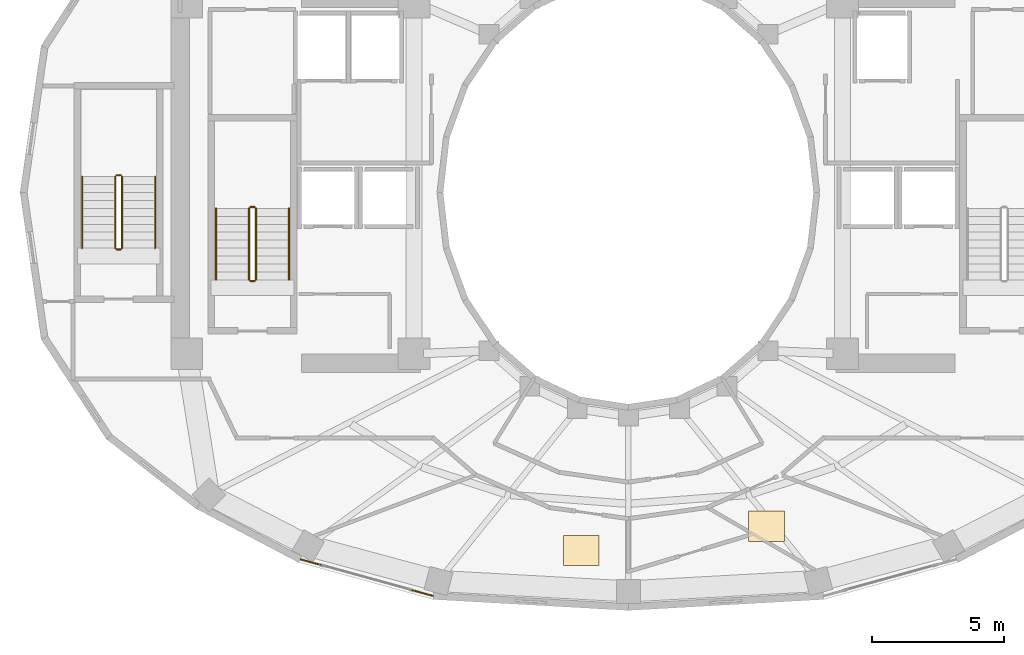
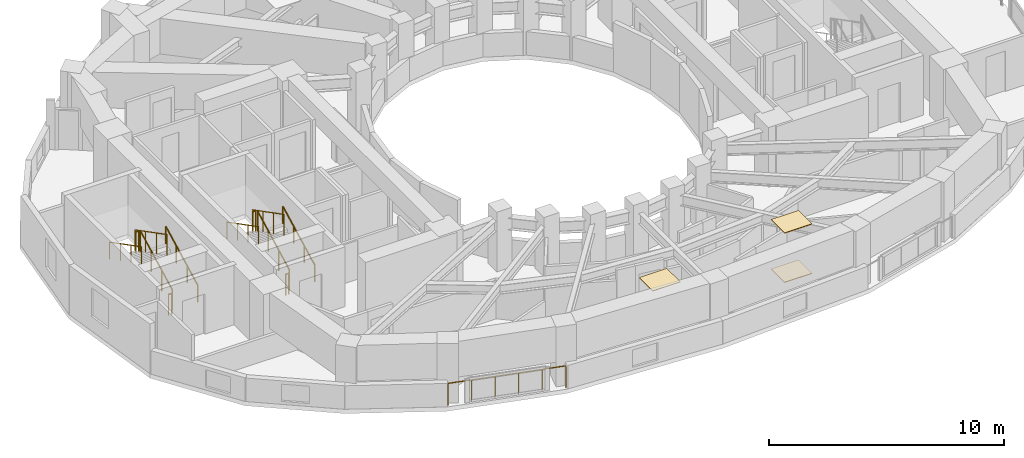
# One storey, part 18 of 20: 13 railings, 3 coverings.
"""IFC4 building model written with IfcOpenShell, lengths in metres."""

import ifcopenshell
import ifcopenshell.guid

model = None  # the IFC model being written
_history = None  # IfcOwnerHistory: only IFC2X3 demands one
_inside = {}  # id of a spatial element -> (the spatial element, [elements in it])
_under = {}  # id of a project, library or spatial element -> (it, [spatial elements below it])
_declared = {}  # id of a project -> (the project, [libraries it declares])
_typed = {}  # id of a type object -> (the type object, [elements of that type])
_made_of = {}  # id of a material, layer set ... -> (it, [elements and type objects made of it])


def new_model(schema):
    """Start an empty IFC model of exactly this schema.

    Asked for "IFC4X3", IfcOpenShell would pick the latest addendum, in which some entities
    have other attributes; the version numbers below select the first issue.
    IFC2X3 requires an IfcOwnerHistory on every rooted entity: one is made here for all.
    """
    global model, _history
    if schema == "IFC4X3":
        model = ifcopenshell.file(schema_version=(4, 3, 0, 0))
    else:
        model = ifcopenshell.file(schema=schema)
    _inside.clear()
    _under.clear()
    _declared.clear()
    _typed.clear()
    _made_of.clear()
    _history = None
    if model.schema == "IFC2X3":
        org = make("IfcOrganization", Name="unknown")
        user = make(
            "IfcPersonAndOrganization",
            ThePerson=make("IfcPerson", FamilyName="unknown"),
            TheOrganization=org,
        )
        app = make(
            "IfcApplication",
            ApplicationDeveloper=org,
            Version="unknown",
            ApplicationFullName="unknown",
            ApplicationIdentifier="unknown",
        )
        _history = make(
            "IfcOwnerHistory",
            OwningUser=user,
            OwningApplication=app,
            ChangeAction="ADDED",
            CreationDate=0,
        )
    return model


def make(cls, **values):
    """One entity of the class cls with the attributes given. An attribute that is None is left unset."""
    return model.create_entity(
        cls, **{name: value for name, value in values.items() if value is not None}
    )


def rooted(cls, **values):
    """An entity with a GlobalId (a new one), such as an element, a storey or a relation."""
    return make(cls, GlobalId=ifcopenshell.guid.new(), OwnerHistory=_history, **values)


def si_unit(unit_type, name, prefix=None):
    """IfcSIUnit, for example si_unit("LENGTHUNIT", "METRE", prefix="MILLI")."""
    return make("IfcSIUnit", UnitType=unit_type, Prefix=prefix, Name=name)


def assignment(units):
    """IfcUnitAssignment: the units of a project."""
    return None if units is None else make("IfcUnitAssignment", Units=units)


def point(xyz):
    """IfcCartesianPoint."""
    return None if xyz is None else make("IfcCartesianPoint", Coordinates=xyz)


def direction(xyz):
    """IfcDirection."""
    return None if xyz is None else make("IfcDirection", DirectionRatios=xyz)


def frame(location, z_axis=None, x_axis=None):
    """IfcAxis2Placement3D, a coordinate frame: its origin and axes. An axis left out is left unset."""
    return make(
        "IfcAxis2Placement3D",
        Location=point(location),
        Axis=direction(z_axis),
        RefDirection=direction(x_axis),
    )


def frame_2d(location, x_axis=None):
    """IfcAxis2Placement2D, a coordinate frame in the plane: its origin and x axis."""
    return make(
        "IfcAxis2Placement2D", Location=point(location), RefDirection=direction(x_axis)
    )


def origin():
    """The frame at (0, 0, 0) with its axes left unset."""
    return frame((0.0, 0.0, 0.0))


def origin_2d():
    """The frame at (0, 0) in the plane with its x axis left unset."""
    return frame_2d((0.0, 0.0))


def place(relative_to, where):
    """IfcLocalPlacement: puts the frame where relative to a parent placement (None: the world)."""
    return make(
        "IfcLocalPlacement", PlacementRelTo=relative_to, RelativePlacement=where
    )


def context(
    kind, dimensions, precision=None, world=None, true_north=None, identifier=None
):
    """IfcGeometricRepresentationContext, for example the 3D "Model" context."""
    return make(
        "IfcGeometricRepresentationContext",
        ContextIdentifier=identifier,
        ContextType=kind,
        CoordinateSpaceDimension=dimensions,
        Precision=precision,
        WorldCoordinateSystem=world,
        TrueNorth=true_north,
    )


def subcontext(parent, identifier, kind, view, scale=None):
    """IfcGeometricRepresentationSubContext, for example "Body" below "Model"."""
    return make(
        "IfcGeometricRepresentationSubContext",
        ContextIdentifier=identifier,
        ContextType=kind,
        ParentContext=parent,
        TargetScale=scale,
        TargetView=view,
    )


def project(units=None, contexts=None):
    """IfcProject with its units and contexts."""
    return rooted(
        "IfcProject",
        Name="project",
        RepresentationContexts=contexts,
        UnitsInContext=assignment(units),
    )


def spatial(cls, under=None, at=None, **own):
    """A site, building, storey or space (cls), placed at a placement, below another one or the project."""
    s = rooted(cls, ObjectPlacement=at, **own)
    if under is not None:
        _under.setdefault(under.id(), (under, []))[1].append(s)
    return s


def polyline(points):
    """IfcPolyline through the points."""
    return make("IfcPolyline", Points=[point(p) for p in points])


def profile(cls, at=None, kind="AREA", **sizes):
    """A parametric profile (cls). Its sizes go by their IFC names, for example OverallWidth=200.0."""
    return make(cls, ProfileType=kind, Position=at, **sizes)


def circle(**sizes):
    """IfcCircleProfileDef."""
    return profile("IfcCircleProfileDef", **sizes)


def outline(outer, holes=None, kind="AREA"):
    """IfcArbitraryClosedProfileDef: a profile drawn as a closed curve; with holes, ...WithVoids."""
    if holes is None:
        return make("IfcArbitraryClosedProfileDef", ProfileType=kind, OuterCurve=outer)
    return make(
        "IfcArbitraryProfileDefWithVoids",
        ProfileType=kind,
        OuterCurve=outer,
        InnerCurves=holes,
    )


def extrude(swept, where, along, depth):
    """IfcExtrudedAreaSolid: the profile swept, set in the frame where, extruded along a direction by depth."""
    return make(
        "IfcExtrudedAreaSolid",
        SweptArea=swept,
        Position=where,
        ExtrudedDirection=direction(along),
        Depth=depth,
    )


def shape(context_of_items, identifier, shape_type, items):
    """IfcShapeRepresentation: the items that make up one representation, for example the "Body"."""
    return make(
        "IfcShapeRepresentation",
        ContextOfItems=context_of_items,
        RepresentationIdentifier=identifier,
        RepresentationType=shape_type,
        Items=items,
    )


def material(Name=None, Category=None):
    """IfcMaterial."""
    return make("IfcMaterial", Name=Name, Category=Category)


def layer(
    of_material, thickness, ventilated=None, Name=None, Category=None, Priority=None
):
    """IfcMaterialLayer: one layer of a wall or slab, of a material (None: an air gap)."""
    return make(
        "IfcMaterialLayer",
        Material=of_material,
        LayerThickness=thickness,
        IsVentilated=ventilated,
        Name=Name,
        Category=Category,
        Priority=Priority,
    )


def layer_set(layers, Name=None):
    """IfcMaterialLayerSet."""
    return make("IfcMaterialLayerSet", MaterialLayers=layers, LayerSetName=Name)


def made_of(thing, what):
    """Note that an element or type object is made of a material, layer set ...; save() writes the relation."""
    if what is not None:
        _made_of.setdefault(what.id(), (what, []))[1].append(thing)
    return thing


def type_object(cls, material=None, **own):
    """A type object (cls), such as IfcWallType, which elements share."""
    return made_of(rooted(cls, **own), material)


def element(
    cls,
    number,
    at=None,
    inside=None,
    cuts=None,
    type_object=None,
    material=None,
    context=None,
    identifier="Body",
    shape_type=None,
    held_by="IfcProductDefinitionShape",
    body=None,
    shapes=None,
    **own,
):
    """One element of the class cls, such as IfcWall. Its Tag is "e" and its number.

    at: its placement. inside: the storey or other place that contains it. cuts: it is an
    opening in that element (IfcRelVoidsElement). A single representation is given by context,
    identifier, shape_type and body (its items); several are given by shapes. held_by: the class
    of the entity that holds the representations. save() writes the other relations.
    """
    e = rooted(cls, Tag="e%d" % number, ObjectPlacement=at, **own)
    if body is not None:
        shapes = [shape(context, identifier, shape_type, body)]
    if shapes is not None:
        e.Representation = make(held_by, Representations=shapes)
    if inside is not None:
        _inside.setdefault(inside.id(), (inside, []))[1].append(e)
    if cuts is not None:
        rooted(
            "IfcRelVoidsElement", RelatingBuildingElement=cuts, RelatedOpeningElement=e
        )
    if type_object is not None:
        _typed.setdefault(type_object.id(), (type_object, []))[1].append(e)
    return made_of(e, material)


def aggregate(whole, parts):
    """IfcRelAggregates: a whole, such as a stair, and the parts it consists of."""
    return rooted("IfcRelAggregates", RelatingObject=whole, RelatedObjects=parts)


def save(model, path):
    """Write the relations noted so far, then the file.

    IfcRelAggregates (storeys below a building ...), IfcRelContainedInSpatialStructure (elements
    in a storey), IfcRelDefinesByType, IfcRelAssociatesMaterial and IfcRelDeclares: one each for
    every whole, place, type object, material and project.
    """
    for whole, parts in _under.values():
        aggregate(whole, parts)
    for where, things in _inside.values():
        rooted(
            "IfcRelContainedInSpatialStructure",
            RelatedElements=things,
            RelatingStructure=where,
        )
    for kind, things in _typed.values():
        rooted("IfcRelDefinesByType", RelatedObjects=things, RelatingType=kind)
    for what, things in _made_of.values():
        rooted("IfcRelAssociatesMaterial", RelatedObjects=things, RelatingMaterial=what)
    for by, libraries in _declared.values():
        rooted("IfcRelDeclares", RelatingContext=by, RelatedDefinitions=libraries)
    model.write(path)


model = new_model("IFC4")

# Units and contexts
model_context = context("Model", 3, precision=1e-05, world=origin(), true_north=direction((0.0, 1.0)))
body_context = subcontext(model_context, "Body", "Model", "MODEL_VIEW")
ifc_project = project(units=[si_unit("LENGTHUNIT", "METRE"), si_unit("AREAUNIT", "SQUARE_METRE"), si_unit("VOLUMEUNIT", "CUBIC_METRE"), si_unit("PLANEANGLEUNIT", "RADIAN"), si_unit("MASSUNIT", "GRAM", prefix="KILO")], contexts=[model_context])

# Site, building, storey
site_placement = place(None, origin())
site = spatial("IfcSite", under=ifc_project, at=site_placement, CompositionType="ELEMENT")
building_placement = place(site_placement, origin())
building = spatial("IfcBuilding", under=site, at=building_placement, Name="Solvane Sanctuary Tower", CompositionType="ELEMENT")
storey_placement = place(building_placement, frame((0.0, 0.0, 159.10009765625)))
storey = spatial("IfcBuildingStorey", under=building, at=storey_placement, Name="L48", CompositionType="ELEMENT", Elevation=159.10009765625)

# Coverings
ifc_material_1 = material(Name="Acoustic Gypsum Partition Board")
ifc_layer_1 = layer(ifc_material_1, 0.02490234375, Name="Acoustic Gypsum Partition Board")
ifc_layer_set_1 = layer_set([ifc_layer_1], Name="Acoustic Gypsum Partition Board")
covering_type_1 = type_object("IfcCoveringType", Name="Covering CLG-ACOUST", PredefinedType="CEILING", material=ifc_layer_set_1)
covering_1_placement = place(storey_placement, frame((0.0, 0.0, 2.56982421875)))
element("IfcCovering", 1, at=covering_1_placement, inside=storey, type_object=covering_type_1, Name="L48 Unit Acoustic Ceiling Panel 4", PredefinedType="CEILING", context=body_context, shape_type="SweptSolid", body=[
    extrude(outline(polyline([(29.54296875, 8.89208984375), (30.89306640625, 8.89208984375), (30.89306640625, 10.0419921875), (29.54296875, 10.0419921875), (29.54296875, 8.89208984375)])), origin(), (0.0, 0.0, 1.0), 0.030029296875),
])
covering_2_placement = place(storey_placement, frame((0.0, 0.0, 2.56982421875)))
element("IfcCovering", 2, at=covering_2_placement, inside=storey, type_object=covering_type_1, Name="L48 Unit Acoustic Ceiling Panel 5", PredefinedType="CEILING", context=body_context, shape_type="SweptSolid", body=[
    extrude(outline(polyline([(36.549072265625, 9.81396484375), (37.89892578125, 9.81396484375), (37.89892578125, 10.964111328125), (36.549072265625, 10.964111328125), (36.549072265625, 9.81396484375)])), origin(), (0.0, 0.0, 1.0), 0.030029296875),
])
ifc_material_2 = material(Name="Ceramic Tile Finish")
ifc_layer_2 = layer(ifc_material_2, 0.030029296875, Name="Ceramic Tile Finish")
ifc_layer_set_2 = layer_set([ifc_layer_2], Name="Ceramic Tile Finish")
covering_type_2 = type_object("IfcCoveringType", Name="Covering FLR-TERRAZZO", PredefinedType="FLOORING", material=ifc_layer_set_2)
covering_3_placement = place(storey_placement, origin())
element("IfcCovering", 3, at=covering_3_placement, inside=storey, type_object=covering_type_2, Name="L48 Unit Terrazzo Inlay 5", PredefinedType="FLOORING", context=body_context, shape_type="SweptSolid", body=[
    extrude(outline(polyline([(36.549072265625, 9.81396484375), (37.89892578125, 9.81396484375), (37.89892578125, 10.964111328125), (36.549072265625, 10.964111328125), (36.549072265625, 9.81396484375)])), origin(), (0.0, 0.0, 1.0), 0.034912109375),
])

# Railings
ifc_material_3 = material(Name="Architectural Stainless Steel 316", Category="steel")
railing_type_1 = type_object("IfcRailingType", Name="Railing GR-BALC-1150", PredefinedType="BALUSTRADE", material=ifc_material_3)
railing_1_placement = place(storey_placement, frame((19.61572265625, 9.128662109375, 0.0)))
element("IfcRailing", 4, at=railing_1_placement, inside=storey, type_object=railing_type_1, Name="L48 Curtain-Wall Perimeter Sill Guard 16", PredefinedType="BALUSTRADE", context=body_context, shape_type="SweptSolid", body=[
    extrude(circle(Radius=0.02392578125, at=origin_2d()), frame((0.0, 0.0, 1.1259765625), z_axis=(0.963963847171, -0.26603327113, 0.0), x_axis=(0.26603327113, 0.963963847171, 0.0)), (0.0, 0.0, 1.0), 5.1767578125),
    extrude(circle(Radius=0.02099609375, at=origin_2d()), origin(), (0.0, 0.0, 1.0), 1.101806640625),
    extrude(circle(Radius=0.02099609375, at=origin_2d()), frame((0.998046875, -0.275390625, 0.0)), (0.0, 0.0, 1.0), 1.101806640625),
    extrude(circle(Radius=0.02099609375, at=origin_2d()), frame((1.99609375, -0.55078125, 0.0)), (0.0, 0.0, 1.0), 1.101806640625),
    extrude(circle(Radius=0.02099609375, at=origin_2d()), frame((2.994140625, -0.826416015625, 0.0)), (0.0, 0.0, 1.0), 1.101806640625),
    extrude(circle(Radius=0.02099609375, at=origin_2d()), frame((3.9921875, -1.101806640625, 0.0)), (0.0, 0.0, 1.0), 1.101806640625),
    extrude(circle(Radius=0.02099609375, at=origin_2d()), frame((4.990234375, -1.377197265625, 0.0)), (0.0, 0.0, 1.0), 1.101806640625),
])
railing_2_placement = place(storey_placement, frame((17.919921875, 19.699951171875, 0.15478515625)))
element("IfcRailing", 5, at=railing_2_placement, inside=storey, type_object=railing_type_1, Name="L48 ST-1 stair guard 1", PredefinedType="BALUSTRADE", context=body_context, shape_type="SweptSolid", body=[
    extrude(circle(Radius=0.02392578125, at=origin_2d()), frame((0.0, 0.0, 1.076171875), z_axis=(0.0, 0.888419900624, 0.459031676658), x_axis=(-1.0, 0.0, 0.0)), (0.0, 0.0, 1.0), 3.0390625),
    extrude(circle(Radius=0.02099609375, at=origin_2d()), origin(), (0.0, 0.0, 1.0), 1.052001953125),
    extrude(circle(Radius=0.02099609375, at=origin_2d()), frame((0.0, 0.89990234375, 0.465087890625)), (0.0, 0.0, 1.0), 1.052001953125),
    extrude(circle(Radius=0.02099609375, at=origin_2d()), frame((0.0, 1.800048828125, 0.929931640625)), (0.0, 0.0, 1.0), 1.052001953125),
    extrude(circle(Radius=0.02099609375, at=origin_2d()), frame((0.0, 2.699951171875, 1.39501953125)), (0.0, 0.0, 1.0), 1.052001953125),
])
railing_3_placement = place(storey_placement, frame((17.8701171875, 22.449951171875, 1.5498046875)))
element("IfcRailing", 6, at=railing_3_placement, inside=storey, type_object=railing_type_1, Name="L48 ST-1 stair guard 2", PredefinedType="BALUSTRADE", context=body_context, shape_type="SweptSolid", body=[
    extrude(circle(Radius=0.02392578125, at=origin_2d()), frame((0.0, 0.0, 1.076171875), z_axis=(-1.0, 0.0, 0.0), x_axis=(0.0, -1.0, 0.0)), (0.0, 0.0, 1.0), 0.16015625),
    extrude(circle(Radius=0.02099609375, at=origin_2d()), origin(), (0.0, 0.0, 1.0), 1.052001953125),
    extrude(circle(Radius=0.02099609375, at=origin_2d()), frame((-0.16015625, 0.0, 0.0)), (0.0, 0.0, 1.0), 1.052001953125),
])
railing_4_placement = place(storey_placement, frame((17.659912109375, 22.39990234375, 1.704833984375)))
element("IfcRailing", 7, at=railing_4_placement, inside=storey, type_object=railing_type_1, Name="L48 ST-1 stair guard 3", PredefinedType="BALUSTRADE", context=body_context, shape_type="SweptSolid", body=[
    extrude(circle(Radius=0.02392578125, at=origin_2d()), frame((0.0, 0.0, 1.076171875), z_axis=(0.0, -0.888419900624, 0.459031676658), x_axis=(1.0, 0.0, 0.0)), (0.0, 0.0, 1.0), 3.0390625),
    extrude(circle(Radius=0.02099609375, at=origin_2d()), origin(), (0.0, 0.0, 1.0), 1.052001953125),
    extrude(circle(Radius=0.02099609375, at=origin_2d()), frame((0.0, -0.89990234375, 0.465087890625)), (0.0, 0.0, 1.0), 1.052001953125),
    extrude(circle(Radius=0.02099609375, at=origin_2d()), frame((0.0, -1.800048828125, 0.929931640625)), (0.0, 0.0, 1.0), 1.052001953125),
    extrude(circle(Radius=0.02099609375, at=origin_2d()), frame((0.0, -2.699951171875, 1.39501953125)), (0.0, 0.0, 1.0), 1.052001953125),
])
railing_5_placement = place(storey_placement, frame((17.8701171875, 19.64990234375, 0.0)))
element("IfcRailing", 8, at=railing_5_placement, inside=storey, type_object=railing_type_1, Name="L48 ST-1 stair guard 4", PredefinedType="BALUSTRADE", context=body_context, shape_type="SweptSolid", body=[
    extrude(circle(Radius=0.02392578125, at=origin_2d()), frame((0.0, 0.0, 1.076171875), z_axis=(-1.0, 0.0, 0.0), x_axis=(0.0, -1.0, 0.0)), (0.0, 0.0, 1.0), 0.16015625),
    extrude(circle(Radius=0.02099609375, at=origin_2d()), origin(), (0.0, 0.0, 1.0), 1.052001953125),
    extrude(circle(Radius=0.02099609375, at=origin_2d()), frame((-0.16015625, 0.0, 0.0)), (0.0, 0.0, 1.0), 1.052001953125),
])
railing_6_placement = place(storey_placement, frame((12.860107421875, 20.89990234375, 0.15478515625)))
element("IfcRailing", 9, at=railing_6_placement, inside=storey, type_object=railing_type_1, Name="L48 ST-3 stair guard 1", PredefinedType="BALUSTRADE", context=body_context, shape_type="SweptSolid", body=[
    extrude(circle(Radius=0.02392578125, at=origin_2d()), frame((0.0, 0.0, 1.076171875), z_axis=(0.0, 0.888436826113, 0.458998917216), x_axis=(-1.0, 0.0, 0.0)), (0.0, 0.0, 1.0), 3.039306640625),
    extrude(circle(Radius=0.02099609375, at=origin_2d()), origin(), (0.0, 0.0, 1.0), 1.052001953125),
    extrude(circle(Radius=0.02099609375, at=origin_2d()), frame((0.0, 0.900146484375, 0.465087890625)), (0.0, 0.0, 1.0), 1.052001953125),
    extrude(circle(Radius=0.02099609375, at=origin_2d()), frame((0.0, 1.800048828125, 0.929931640625)), (0.0, 0.0, 1.0), 1.052001953125),
    extrude(circle(Radius=0.02099609375, at=origin_2d()), frame((0.0, 2.7001953125, 1.39501953125)), (0.0, 0.0, 1.0), 1.052001953125),
])
railing_7_placement = place(storey_placement, frame((12.81005859375, 23.64990234375, 1.5498046875)))
element("IfcRailing", 10, at=railing_7_placement, inside=storey, type_object=railing_type_1, Name="L48 ST-3 stair guard 2", PredefinedType="BALUSTRADE", context=body_context, shape_type="SweptSolid", body=[
    extrude(circle(Radius=0.02392578125, at=origin_2d()), frame((0.0, 0.0, 1.076171875), z_axis=(-1.0, 0.0, 0.0), x_axis=(0.0, -1.0, 0.0)), (0.0, 0.0, 1.0), 0.16015625),
    extrude(circle(Radius=0.02099609375, at=origin_2d()), origin(), (0.0, 0.0, 1.0), 1.052001953125),
    extrude(circle(Radius=0.02099609375, at=origin_2d()), frame((-0.16015625, 0.0, 0.0)), (0.0, 0.0, 1.0), 1.052001953125),
])
railing_8_placement = place(storey_placement, frame((12.60009765625, 23.60009765625, 1.704833984375)))
element("IfcRailing", 11, at=railing_8_placement, inside=storey, type_object=railing_type_1, Name="L48 ST-3 stair guard 3", PredefinedType="BALUSTRADE", context=body_context, shape_type="SweptSolid", body=[
    extrude(circle(Radius=0.02392578125, at=origin_2d()), frame((0.0, 0.0, 1.076171875), z_axis=(0.0, -0.888436826113, 0.458998917216), x_axis=(1.0, 0.0, 0.0)), (0.0, 0.0, 1.0), 3.039306640625),
    extrude(circle(Radius=0.02099609375, at=origin_2d()), origin(), (0.0, 0.0, 1.0), 1.052001953125),
    extrude(circle(Radius=0.02099609375, at=origin_2d()), frame((0.0, -0.900146484375, 0.465087890625)), (0.0, 0.0, 1.0), 1.052001953125),
    extrude(circle(Radius=0.02099609375, at=origin_2d()), frame((0.0, -1.800048828125, 0.929931640625)), (0.0, 0.0, 1.0), 1.052001953125),
    extrude(circle(Radius=0.02099609375, at=origin_2d()), frame((0.0, -2.7001953125, 1.39501953125)), (0.0, 0.0, 1.0), 1.052001953125),
])
railing_9_placement = place(storey_placement, frame((12.81005859375, 20.85009765625, 0.0)))
element("IfcRailing", 12, at=railing_9_placement, inside=storey, type_object=railing_type_1, Name="L48 ST-3 stair guard 4", PredefinedType="BALUSTRADE", context=body_context, shape_type="SweptSolid", body=[
    extrude(circle(Radius=0.02392578125, at=origin_2d()), frame((0.0, 0.0, 1.076171875), z_axis=(-1.0, 0.0, 0.0), x_axis=(0.0, -1.0, 0.0)), (0.0, 0.0, 1.0), 0.16015625),
    extrude(circle(Radius=0.02099609375, at=origin_2d()), origin(), (0.0, 0.0, 1.0), 1.052001953125),
    extrude(circle(Radius=0.02099609375, at=origin_2d()), frame((-0.16015625, 0.0, 0.0)), (0.0, 0.0, 1.0), 1.052001953125),
])
railing_type_2 = type_object("IfcRailingType", Name="Railing HR-STAIR-920", PredefinedType="HANDRAIL", material=ifc_material_3)
railing_10_placement = place(storey_placement, frame((19.169921875, 19.699951171875, 0.15478515625)))
element("IfcRailing", 13, at=railing_10_placement, inside=storey, type_object=railing_type_2, Name="L48 ST-1 stair handrail 1", PredefinedType="HANDRAIL", context=body_context, shape_type="SweptSolid", body=[
    extrude(circle(Radius=0.02392578125, at=origin_2d()), frame((0.0, 0.0, 0.8759765625), z_axis=(0.0, 0.888419900624, 0.459031676658), x_axis=(-1.0, 0.0, 0.0)), (0.0, 0.0, 1.0), 3.0390625),
    extrude(circle(Radius=0.02099609375, at=origin_2d()), origin(), (0.0, 0.0, 1.0), 0.851806640625),
    extrude(circle(Radius=0.02099609375, at=origin_2d()), frame((0.0, 0.89990234375, 0.465087890625)), (0.0, 0.0, 1.0), 0.851806640625),
    extrude(circle(Radius=0.02099609375, at=origin_2d()), frame((0.0, 1.800048828125, 0.929931640625)), (0.0, 0.0, 1.0), 0.851806640625),
    extrude(circle(Radius=0.02099609375, at=origin_2d()), frame((0.0, 2.699951171875, 1.39501953125)), (0.0, 0.0, 1.0), 0.851806640625),
])
railing_11_placement = place(storey_placement, frame((16.409912109375, 22.39990234375, 1.704833984375)))
element("IfcRailing", 14, at=railing_11_placement, inside=storey, type_object=railing_type_2, Name="L48 ST-1 stair handrail 2", PredefinedType="HANDRAIL", context=body_context, shape_type="SweptSolid", body=[
    extrude(circle(Radius=0.02392578125, at=origin_2d()), frame((0.0, 0.0, 0.8759765625), z_axis=(0.0, -0.888419900624, 0.459031676658), x_axis=(1.0, 0.0, 0.0)), (0.0, 0.0, 1.0), 3.0390625),
    extrude(circle(Radius=0.02099609375, at=origin_2d()), origin(), (0.0, 0.0, 1.0), 0.851806640625),
    extrude(circle(Radius=0.02099609375, at=origin_2d()), frame((0.0, -0.89990234375, 0.465087890625)), (0.0, 0.0, 1.0), 0.851806640625),
    extrude(circle(Radius=0.02099609375, at=origin_2d()), frame((0.0, -1.800048828125, 0.929931640625)), (0.0, 0.0, 1.0), 0.851806640625),
    extrude(circle(Radius=0.02099609375, at=origin_2d()), frame((0.0, -2.699951171875, 1.39501953125)), (0.0, 0.0, 1.0), 0.851806640625),
])
railing_12_placement = place(storey_placement, frame((14.110107421875, 20.89990234375, 0.15478515625)))
element("IfcRailing", 15, at=railing_12_placement, inside=storey, type_object=railing_type_2, Name="L48 ST-3 stair handrail 1", PredefinedType="HANDRAIL", context=body_context, shape_type="SweptSolid", body=[
    extrude(circle(Radius=0.02392578125, at=origin_2d()), frame((0.0, 0.0, 0.8759765625), z_axis=(0.0, 0.888436826113, 0.458998917216), x_axis=(-1.0, 0.0, 0.0)), (0.0, 0.0, 1.0), 3.039306640625),
    extrude(circle(Radius=0.02099609375, at=origin_2d()), origin(), (0.0, 0.0, 1.0), 0.851806640625),
    extrude(circle(Radius=0.02099609375, at=origin_2d()), frame((0.0, 0.900146484375, 0.465087890625)), (0.0, 0.0, 1.0), 0.851806640625),
    extrude(circle(Radius=0.02099609375, at=origin_2d()), frame((0.0, 1.800048828125, 0.929931640625)), (0.0, 0.0, 1.0), 0.851806640625),
    extrude(circle(Radius=0.02099609375, at=origin_2d()), frame((0.0, 2.7001953125, 1.39501953125)), (0.0, 0.0, 1.0), 0.851806640625),
])
railing_13_placement = place(storey_placement, frame((11.35009765625, 23.60009765625, 1.704833984375)))
element("IfcRailing", 16, at=railing_13_placement, inside=storey, type_object=railing_type_2, Name="L48 ST-3 stair handrail 2", PredefinedType="HANDRAIL", context=body_context, shape_type="SweptSolid", body=[
    extrude(circle(Radius=0.02392578125, at=origin_2d()), frame((0.0, 0.0, 0.8759765625), z_axis=(0.0, -0.888436826113, 0.458998917216), x_axis=(1.0, 0.0, 0.0)), (0.0, 0.0, 1.0), 3.039306640625),
    extrude(circle(Radius=0.02099609375, at=origin_2d()), origin(), (0.0, 0.0, 1.0), 0.851806640625),
    extrude(circle(Radius=0.02099609375, at=origin_2d()), frame((0.0, -0.900146484375, 0.465087890625)), (0.0, 0.0, 1.0), 0.851806640625),
    extrude(circle(Radius=0.02099609375, at=origin_2d()), frame((0.0, -1.800048828125, 0.929931640625)), (0.0, 0.0, 1.0), 0.851806640625),
    extrude(circle(Radius=0.02099609375, at=origin_2d()), frame((0.0, -2.7001953125, 1.39501953125)), (0.0, 0.0, 1.0), 0.851806640625),
])

save(model, "model.ifc")
